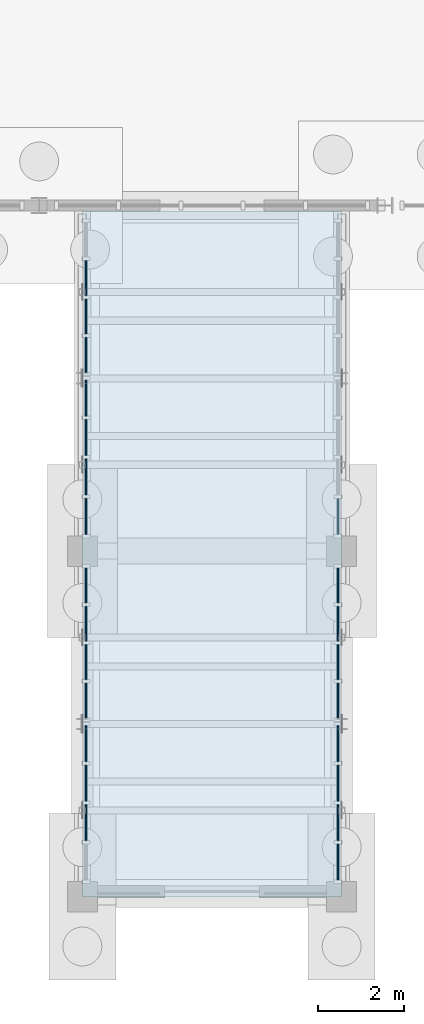
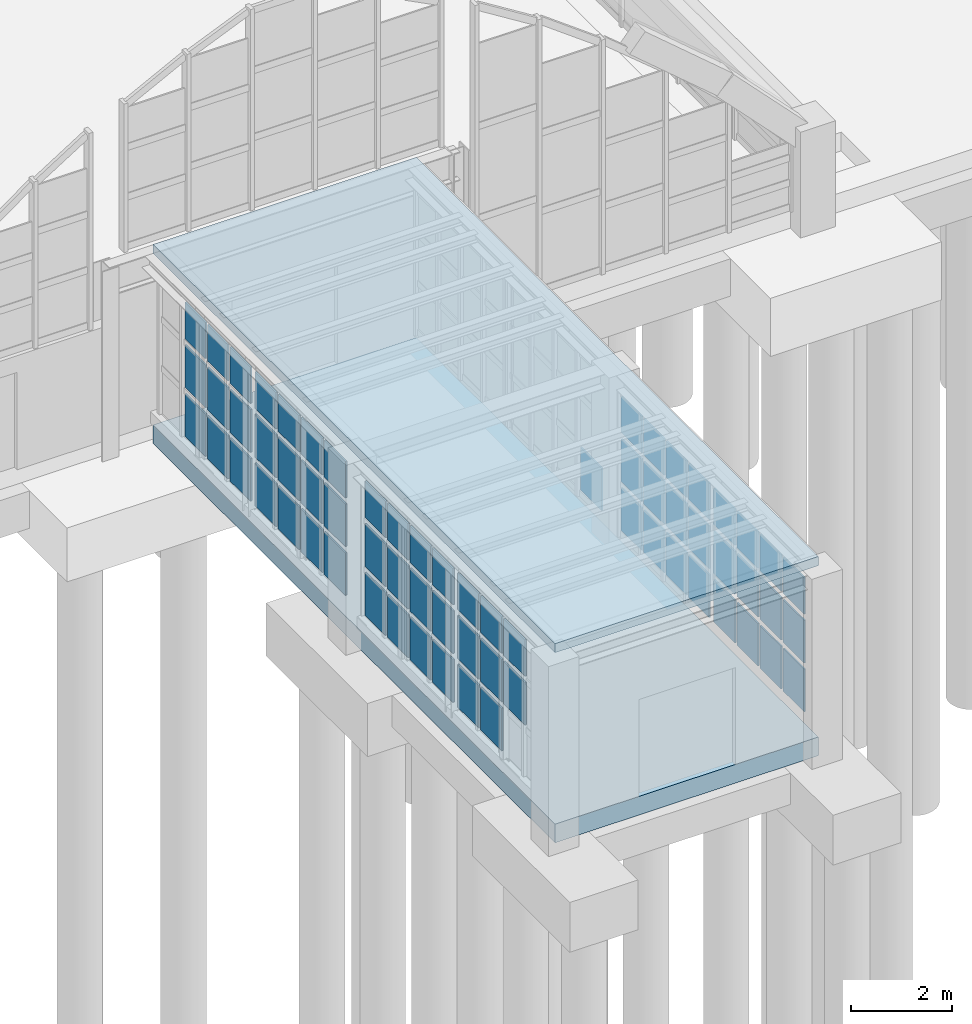
# One storey, part 77 of 129: 66 plates, 2 slabs, 7 elements without a shape of their own.
"""IFC4 building model written with IfcOpenShell, lengths in metres."""

from ifc_helpers import new_model, si_unit, direction, frame, origin, origin_2d, place, context, subcontext, project, spatial, polyline, rectangle, outline, extrude, material, layer, layer_set, type_object, element, aggregate, save


model = new_model("IFC4")

# Units and contexts
model_context = context("Model", 3, precision=1e-05, world=origin(), true_north=direction((0.0, 1.0)))
body_context = subcontext(model_context, "Body", "Model", "MODEL_VIEW")
ifc_project = project(units=[si_unit("LENGTHUNIT", "METRE"), si_unit("AREAUNIT", "SQUARE_METRE"), si_unit("VOLUMEUNIT", "CUBIC_METRE"), si_unit("PLANEANGLEUNIT", "RADIAN"), si_unit("MASSUNIT", "GRAM", prefix="KILO")], contexts=[model_context])

# Site, building, storey
site_placement = place(None, origin())
site = spatial("IfcSite", under=ifc_project, at=site_placement, CompositionType="ELEMENT")
building_placement = place(site_placement, origin())
building = spatial("IfcBuilding", under=site, at=building_placement, Name="Sitalva Quay Ferry Terminal", CompositionType="ELEMENT")
storey_placement = place(building_placement, origin())
storey = spatial("IfcBuildingStorey", under=building, at=storey_placement, Name="L01", CompositionType="ELEMENT", Elevation=0.0)

# Curtain wall, plates
ifc_material_1 = material(Name="Anodised Aluminium & Low-E Glazing", Category="aluminium")
ifc_layer_1 = layer(ifc_material_1, 0.159912109375)
ifc_layer_set_1 = layer_set([ifc_layer_1], Name="Anodised Aluminium & Low-E Glazing")
curtain_wall_type = type_object("IfcCurtainWallType", Name="CW_Bridge_Glazed", PredefinedType="USERDEFINED", material=ifc_layer_set_1)
curtain_wall_1_placement = place(storey_placement, origin())
curtain_wall_1 = element("IfcCurtainWall", 1, at=curtain_wall_1_placement, inside=storey, type_object=curtain_wall_type, Name="Boarding bridge BB1 W1 side glazing (CW-L01-033)", ObjectType="CURTAIN_WALL", PredefinedType="USERDEFINED")
ifc_material_2 = material(Name="Acoustic Laminated Marine Glazing", Category="glass")
ifc_layer_2 = layer(ifc_material_2, 0.033935546875)
ifc_layer_set_2 = layer_set([ifc_layer_2], Name="Acoustic Laminated Marine Glazing")
plate_type = type_object("IfcPlateType", Name="Panel_Marine_IGU_34", PredefinedType="CURTAIN_PANEL", material=ifc_layer_set_2)
plate_1_placement = place(storey_placement, frame((17.080078125, -8.28125, 1.57666015625), z_axis=(0.0, 0.0, 1.0), x_axis=(0.0, 1.0, 0.0)))
plate_1 = element("IfcPlate", 2, at=plate_1_placement, type_object=plate_type, Name="CW-L01-033-P1-1", PredefinedType="CURTAIN_PANEL", context=body_context, shape_type="SweptSolid", body=[
    extrude(rectangle(XDim=0.83251953125, YDim=0.033935546875, at=origin_2d()), origin(), (0.0, 0.0, 1.0), 1.026611328125),
])
plate_2_placement = place(storey_placement, frame((17.080078125, -8.28125, 2.75341796875), z_axis=(0.0, 0.0, 1.0), x_axis=(0.0, 1.0, 0.0)))
plate_2 = element("IfcPlate", 3, at=plate_2_placement, type_object=plate_type, Name="CW-L01-033-P1-2", PredefinedType="CURTAIN_PANEL", context=body_context, shape_type="SweptSolid", body=[
    extrude(rectangle(XDim=0.83251953125, YDim=0.033935546875, at=origin_2d()), origin(), (0.0, 0.0, 1.0), 0.876708984375),
])
plate_3_placement = place(storey_placement, frame((17.080078125, -7.36865234375, 0.39990234375), z_axis=(0.0, 0.0, 1.0), x_axis=(0.0, 1.0, 0.0)))
plate_3 = element("IfcPlate", 4, at=plate_3_placement, type_object=plate_type, Name="CW-L01-033-P2-0", PredefinedType="CURTAIN_PANEL", context=body_context, shape_type="SweptSolid", body=[
    extrude(rectangle(XDim=0.83251953125, YDim=0.033935546875, at=origin_2d()), origin(), (0.0, 0.0, 1.0), 1.026611328125),
])
plate_4_placement = place(storey_placement, frame((17.080078125, -7.36865234375, 1.57666015625), z_axis=(0.0, 0.0, 1.0), x_axis=(0.0, 1.0, 0.0)))
plate_4 = element("IfcPlate", 5, at=plate_4_placement, type_object=plate_type, Name="CW-L01-033-P2-1", PredefinedType="CURTAIN_PANEL", context=body_context, shape_type="SweptSolid", body=[
    extrude(rectangle(XDim=0.83251953125, YDim=0.033935546875, at=origin_2d()), origin(), (0.0, 0.0, 1.0), 1.026611328125),
])
plate_5_placement = place(storey_placement, frame((17.080078125, -7.36865234375, 2.75341796875), z_axis=(0.0, 0.0, 1.0), x_axis=(0.0, 1.0, 0.0)))
plate_5 = element("IfcPlate", 6, at=plate_5_placement, type_object=plate_type, Name="CW-L01-033-P2-2", PredefinedType="CURTAIN_PANEL", context=body_context, shape_type="SweptSolid", body=[
    extrude(rectangle(XDim=0.83251953125, YDim=0.033935546875, at=origin_2d()), origin(), (0.0, 0.0, 1.0), 0.876708984375),
])
plate_6_placement = place(storey_placement, frame((17.080078125, -6.456298828125, 0.39990234375), z_axis=(0.0, 0.0, 1.0), x_axis=(0.0, 1.0, 0.0)))
plate_6 = element("IfcPlate", 7, at=plate_6_placement, type_object=plate_type, Name="CW-L01-033-P3-0", PredefinedType="CURTAIN_PANEL", context=body_context, shape_type="SweptSolid", body=[
    extrude(rectangle(XDim=0.83251953125, YDim=0.033935546875, at=origin_2d()), origin(), (0.0, 0.0, 1.0), 1.026611328125),
])
plate_7_placement = place(storey_placement, frame((17.080078125, -6.456298828125, 1.57666015625), z_axis=(0.0, 0.0, 1.0), x_axis=(0.0, 1.0, 0.0)))
plate_7 = element("IfcPlate", 8, at=plate_7_placement, type_object=plate_type, Name="CW-L01-033-P3-1", PredefinedType="CURTAIN_PANEL", context=body_context, shape_type="SweptSolid", body=[
    extrude(rectangle(XDim=0.83251953125, YDim=0.033935546875, at=origin_2d()), origin(), (0.0, 0.0, 1.0), 1.026611328125),
])
plate_8_placement = place(storey_placement, frame((17.080078125, -6.456298828125, 2.75341796875), z_axis=(0.0, 0.0, 1.0), x_axis=(0.0, 1.0, 0.0)))
plate_8 = element("IfcPlate", 9, at=plate_8_placement, type_object=plate_type, Name="CW-L01-033-P3-2", PredefinedType="CURTAIN_PANEL", context=body_context, shape_type="SweptSolid", body=[
    extrude(rectangle(XDim=0.83251953125, YDim=0.033935546875, at=origin_2d()), origin(), (0.0, 0.0, 1.0), 0.876708984375),
])
aggregate(curtain_wall_1, [plate_1, plate_2, plate_3, plate_4, plate_5, plate_6, plate_7, plate_8])

curtain_wall_2_placement = place(storey_placement, origin())
curtain_wall_2 = element("IfcCurtainWall", 10, at=curtain_wall_2_placement, inside=storey, type_object=curtain_wall_type, Name="Boarding bridge BB1 W2 side glazing (CW-L01-034)", ObjectType="CURTAIN_WALL", PredefinedType="USERDEFINED")
plate_9_placement = place(storey_placement, frame((17.080078125, -5.456298828125, 0.39990234375), z_axis=(0.0, 0.0, 1.0), x_axis=(0.0, 1.0, 0.0)))
plate_9 = element("IfcPlate", 11, at=plate_9_placement, type_object=plate_type, Name="CW-L01-034-P0-0", PredefinedType="CURTAIN_PANEL", context=body_context, shape_type="SweptSolid", body=[
    extrude(rectangle(XDim=0.8076171875, YDim=0.033935546875, at=origin_2d()), origin(), (0.0, 0.0, 1.0), 1.026611328125),
])
plate_10_placement = place(storey_placement, frame((17.080078125, -5.456298828125, 1.57666015625), z_axis=(0.0, 0.0, 1.0), x_axis=(0.0, 1.0, 0.0)))
plate_10 = element("IfcPlate", 12, at=plate_10_placement, type_object=plate_type, Name="CW-L01-034-P0-1", PredefinedType="CURTAIN_PANEL", context=body_context, shape_type="SweptSolid", body=[
    extrude(rectangle(XDim=0.8076171875, YDim=0.033935546875, at=origin_2d()), origin(), (0.0, 0.0, 1.0), 1.026611328125),
])
plate_11_placement = place(storey_placement, frame((17.080078125, -5.456298828125, 2.75341796875), z_axis=(0.0, 0.0, 1.0), x_axis=(0.0, 1.0, 0.0)))
plate_11 = element("IfcPlate", 13, at=plate_11_placement, type_object=plate_type, Name="CW-L01-034-P0-2", PredefinedType="CURTAIN_PANEL", context=body_context, shape_type="SweptSolid", body=[
    extrude(rectangle(XDim=0.8076171875, YDim=0.033935546875, at=origin_2d()), origin(), (0.0, 0.0, 1.0), 0.876708984375),
])
plate_12_placement = place(storey_placement, frame((17.080078125, -4.56884765625, 0.39990234375), z_axis=(0.0, 0.0, 1.0), x_axis=(0.0, 1.0, 0.0)))
plate_12 = element("IfcPlate", 14, at=plate_12_placement, type_object=plate_type, Name="CW-L01-034-P1-0", PredefinedType="CURTAIN_PANEL", context=body_context, shape_type="SweptSolid", body=[
    extrude(rectangle(XDim=0.8076171875, YDim=0.033935546875, at=origin_2d()), origin(), (0.0, 0.0, 1.0), 1.026611328125),
])
plate_13_placement = place(storey_placement, frame((17.080078125, -4.56884765625, 1.57666015625), z_axis=(0.0, 0.0, 1.0), x_axis=(0.0, 1.0, 0.0)))
plate_13 = element("IfcPlate", 15, at=plate_13_placement, type_object=plate_type, Name="CW-L01-034-P1-1", PredefinedType="CURTAIN_PANEL", context=body_context, shape_type="SweptSolid", body=[
    extrude(rectangle(XDim=0.8076171875, YDim=0.033935546875, at=origin_2d()), origin(), (0.0, 0.0, 1.0), 1.026611328125),
])
plate_14_placement = place(storey_placement, frame((17.080078125, -4.56884765625, 2.75341796875), z_axis=(0.0, 0.0, 1.0), x_axis=(0.0, 1.0, 0.0)))
plate_14 = element("IfcPlate", 16, at=plate_14_placement, type_object=plate_type, Name="CW-L01-034-P1-2", PredefinedType="CURTAIN_PANEL", context=body_context, shape_type="SweptSolid", body=[
    extrude(rectangle(XDim=0.8076171875, YDim=0.033935546875, at=origin_2d()), origin(), (0.0, 0.0, 1.0), 0.876708984375),
])
plate_15_placement = place(storey_placement, frame((17.080078125, -3.68115234375, 0.39990234375), z_axis=(0.0, 0.0, 1.0), x_axis=(0.0, 1.0, 0.0)))
plate_15 = element("IfcPlate", 17, at=plate_15_placement, type_object=plate_type, Name="CW-L01-034-P2-0", PredefinedType="CURTAIN_PANEL", context=body_context, shape_type="SweptSolid", body=[
    extrude(rectangle(XDim=0.8076171875, YDim=0.033935546875, at=origin_2d()), origin(), (0.0, 0.0, 1.0), 1.026611328125),
])
plate_16_placement = place(storey_placement, frame((17.080078125, -3.68115234375, 1.57666015625), z_axis=(0.0, 0.0, 1.0), x_axis=(0.0, 1.0, 0.0)))
plate_16 = element("IfcPlate", 18, at=plate_16_placement, type_object=plate_type, Name="CW-L01-034-P2-1", PredefinedType="CURTAIN_PANEL", context=body_context, shape_type="SweptSolid", body=[
    extrude(rectangle(XDim=0.8076171875, YDim=0.033935546875, at=origin_2d()), origin(), (0.0, 0.0, 1.0), 1.026611328125),
])
plate_17_placement = place(storey_placement, frame((17.080078125, -3.68115234375, 2.75341796875), z_axis=(0.0, 0.0, 1.0), x_axis=(0.0, 1.0, 0.0)))
plate_17 = element("IfcPlate", 19, at=plate_17_placement, type_object=plate_type, Name="CW-L01-034-P2-2", PredefinedType="CURTAIN_PANEL", context=body_context, shape_type="SweptSolid", body=[
    extrude(rectangle(XDim=0.8076171875, YDim=0.033935546875, at=origin_2d()), origin(), (0.0, 0.0, 1.0), 0.876708984375),
])
plate_18_placement = place(storey_placement, frame((17.080078125, -2.793701171875, 0.39990234375), z_axis=(0.0, 0.0, 1.0), x_axis=(0.0, 1.0, 0.0)))
plate_18 = element("IfcPlate", 20, at=plate_18_placement, type_object=plate_type, Name="CW-L01-034-P3-0", PredefinedType="CURTAIN_PANEL", context=body_context, shape_type="SweptSolid", body=[
    extrude(rectangle(XDim=0.8076171875, YDim=0.033935546875, at=origin_2d()), origin(), (0.0, 0.0, 1.0), 1.026611328125),
])
plate_19_placement = place(storey_placement, frame((17.080078125, -2.793701171875, 1.57666015625), z_axis=(0.0, 0.0, 1.0), x_axis=(0.0, 1.0, 0.0)))
plate_19 = element("IfcPlate", 21, at=plate_19_placement, type_object=plate_type, Name="CW-L01-034-P3-1", PredefinedType="CURTAIN_PANEL", context=body_context, shape_type="SweptSolid", body=[
    extrude(rectangle(XDim=0.8076171875, YDim=0.033935546875, at=origin_2d()), origin(), (0.0, 0.0, 1.0), 1.026611328125),
])
plate_20_placement = place(storey_placement, frame((17.080078125, -2.793701171875, 2.75341796875), z_axis=(0.0, 0.0, 1.0), x_axis=(0.0, 1.0, 0.0)))
plate_20 = element("IfcPlate", 22, at=plate_20_placement, type_object=plate_type, Name="CW-L01-034-P3-2", PredefinedType="CURTAIN_PANEL", context=body_context, shape_type="SweptSolid", body=[
    extrude(rectangle(XDim=0.8076171875, YDim=0.033935546875, at=origin_2d()), origin(), (0.0, 0.0, 1.0), 0.876708984375),
])
aggregate(curtain_wall_2, [plate_9, plate_10, plate_11, plate_12, plate_13, plate_14, plate_15, plate_16, plate_17, plate_18, plate_19, plate_20])

curtain_wall_3_placement = place(storey_placement, origin())
curtain_wall_3 = element("IfcCurtainWall", 23, at=curtain_wall_3_placement, inside=storey, type_object=curtain_wall_type, Name="Boarding bridge BB1 W3 side glazing (CW-L01-035)", ObjectType="CURTAIN_WALL", PredefinedType="USERDEFINED")
plate_21_placement = place(storey_placement, frame((17.080078125, -1.19384765625, 0.39990234375), z_axis=(0.0, 0.0, 1.0), x_axis=(0.0, 1.0, 0.0)))
plate_21 = element("IfcPlate", 24, at=plate_21_placement, type_object=plate_type, Name="CW-L01-035-P0-0", PredefinedType="CURTAIN_PANEL", context=body_context, shape_type="SweptSolid", body=[
    extrude(rectangle(XDim=0.83251953125, YDim=0.033935546875, at=origin_2d()), origin(), (0.0, 0.0, 1.0), 1.026611328125),
])
plate_22_placement = place(storey_placement, frame((17.080078125, -1.19384765625, 1.57666015625), z_axis=(0.0, 0.0, 1.0), x_axis=(0.0, 1.0, 0.0)))
plate_22 = element("IfcPlate", 25, at=plate_22_placement, type_object=plate_type, Name="CW-L01-035-P0-1", PredefinedType="CURTAIN_PANEL", context=body_context, shape_type="SweptSolid", body=[
    extrude(rectangle(XDim=0.83251953125, YDim=0.033935546875, at=origin_2d()), origin(), (0.0, 0.0, 1.0), 1.026611328125),
])
plate_23_placement = place(storey_placement, frame((17.080078125, -1.19384765625, 2.75341796875), z_axis=(0.0, 0.0, 1.0), x_axis=(0.0, 1.0, 0.0)))
plate_23 = element("IfcPlate", 26, at=plate_23_placement, type_object=plate_type, Name="CW-L01-035-P0-2", PredefinedType="CURTAIN_PANEL", context=body_context, shape_type="SweptSolid", body=[
    extrude(rectangle(XDim=0.83251953125, YDim=0.033935546875, at=origin_2d()), origin(), (0.0, 0.0, 1.0), 0.876708984375),
])
plate_24_placement = place(storey_placement, frame((17.080078125, -0.28125, 0.39990234375), z_axis=(0.0, 0.0, 1.0), x_axis=(0.0, 1.0, 0.0)))
plate_24 = element("IfcPlate", 27, at=plate_24_placement, type_object=plate_type, Name="CW-L01-035-P1-0", PredefinedType="CURTAIN_PANEL", context=body_context, shape_type="SweptSolid", body=[
    extrude(rectangle(XDim=0.83251953125, YDim=0.033935546875, at=origin_2d()), origin(), (0.0, 0.0, 1.0), 1.026611328125),
])
plate_25_placement = place(storey_placement, frame((17.080078125, -0.28125, 1.57666015625), z_axis=(0.0, 0.0, 1.0), x_axis=(0.0, 1.0, 0.0)))
plate_25 = element("IfcPlate", 28, at=plate_25_placement, type_object=plate_type, Name="CW-L01-035-P1-1", PredefinedType="CURTAIN_PANEL", context=body_context, shape_type="SweptSolid", body=[
    extrude(rectangle(XDim=0.83251953125, YDim=0.033935546875, at=origin_2d()), origin(), (0.0, 0.0, 1.0), 1.026611328125),
])
plate_26_placement = place(storey_placement, frame((17.080078125, -0.28125, 2.75341796875), z_axis=(0.0, 0.0, 1.0), x_axis=(0.0, 1.0, 0.0)))
plate_26 = element("IfcPlate", 29, at=plate_26_placement, type_object=plate_type, Name="CW-L01-035-P1-2", PredefinedType="CURTAIN_PANEL", context=body_context, shape_type="SweptSolid", body=[
    extrude(rectangle(XDim=0.83251953125, YDim=0.033935546875, at=origin_2d()), origin(), (0.0, 0.0, 1.0), 0.876708984375),
])
plate_27_placement = place(storey_placement, frame((17.080078125, 0.63134765625, 0.39990234375), z_axis=(0.0, 0.0, 1.0), x_axis=(0.0, 1.0, 0.0)))
plate_27 = element("IfcPlate", 30, at=plate_27_placement, type_object=plate_type, Name="CW-L01-035-P2-0", PredefinedType="CURTAIN_PANEL", context=body_context, shape_type="SweptSolid", body=[
    extrude(rectangle(XDim=0.83251953125, YDim=0.033935546875, at=origin_2d()), origin(), (0.0, 0.0, 1.0), 1.026611328125),
])
plate_28_placement = place(storey_placement, frame((17.080078125, 0.63134765625, 1.57666015625), z_axis=(0.0, 0.0, 1.0), x_axis=(0.0, 1.0, 0.0)))
plate_28 = element("IfcPlate", 31, at=plate_28_placement, type_object=plate_type, Name="CW-L01-035-P2-1", PredefinedType="CURTAIN_PANEL", context=body_context, shape_type="SweptSolid", body=[
    extrude(rectangle(XDim=0.83251953125, YDim=0.033935546875, at=origin_2d()), origin(), (0.0, 0.0, 1.0), 1.026611328125),
])
plate_29_placement = place(storey_placement, frame((17.080078125, 0.63134765625, 2.75341796875), z_axis=(0.0, 0.0, 1.0), x_axis=(0.0, 1.0, 0.0)))
plate_29 = element("IfcPlate", 32, at=plate_29_placement, type_object=plate_type, Name="CW-L01-035-P2-2", PredefinedType="CURTAIN_PANEL", context=body_context, shape_type="SweptSolid", body=[
    extrude(rectangle(XDim=0.83251953125, YDim=0.033935546875, at=origin_2d()), origin(), (0.0, 0.0, 1.0), 0.876708984375),
])
plate_30_placement = place(storey_placement, frame((17.080078125, 1.543701171875, 0.39990234375), z_axis=(0.0, 0.0, 1.0), x_axis=(0.0, 1.0, 0.0)))
plate_30 = element("IfcPlate", 33, at=plate_30_placement, type_object=plate_type, Name="CW-L01-035-P3-0", PredefinedType="CURTAIN_PANEL", context=body_context, shape_type="SweptSolid", body=[
    extrude(rectangle(XDim=0.83251953125, YDim=0.033935546875, at=origin_2d()), origin(), (0.0, 0.0, 1.0), 1.026611328125),
])
plate_31_placement = place(storey_placement, frame((17.080078125, 1.543701171875, 1.57666015625), z_axis=(0.0, 0.0, 1.0), x_axis=(0.0, 1.0, 0.0)))
plate_31 = element("IfcPlate", 34, at=plate_31_placement, type_object=plate_type, Name="CW-L01-035-P3-1", PredefinedType="CURTAIN_PANEL", context=body_context, shape_type="SweptSolid", body=[
    extrude(rectangle(XDim=0.83251953125, YDim=0.033935546875, at=origin_2d()), origin(), (0.0, 0.0, 1.0), 1.026611328125),
])
plate_32_placement = place(storey_placement, frame((17.080078125, 1.543701171875, 2.75341796875), z_axis=(0.0, 0.0, 1.0), x_axis=(0.0, 1.0, 0.0)))
plate_32 = element("IfcPlate", 35, at=plate_32_placement, type_object=plate_type, Name="CW-L01-035-P3-2", PredefinedType="CURTAIN_PANEL", context=body_context, shape_type="SweptSolid", body=[
    extrude(rectangle(XDim=0.83251953125, YDim=0.033935546875, at=origin_2d()), origin(), (0.0, 0.0, 1.0), 0.876708984375),
])
aggregate(curtain_wall_3, [plate_21, plate_22, plate_23, plate_24, plate_25, plate_26, plate_27, plate_28, plate_29, plate_30, plate_31, plate_32])

curtain_wall_4_placement = place(storey_placement, origin())
curtain_wall_4 = element("IfcCurtainWall", 36, at=curtain_wall_4_placement, inside=storey, type_object=curtain_wall_type, Name="Boarding bridge BB1 W4 side glazing (CW-L01-036)", ObjectType="CURTAIN_WALL", PredefinedType="USERDEFINED")
plate_33_placement = place(storey_placement, frame((17.080078125, 2.543701171875, 0.39990234375), z_axis=(0.0, 0.0, 1.0), x_axis=(0.0, 1.0, 0.0)))
plate_33 = element("IfcPlate", 37, at=plate_33_placement, type_object=plate_type, Name="CW-L01-036-P0-0", PredefinedType="CURTAIN_PANEL", context=body_context, shape_type="SweptSolid", body=[
    extrude(rectangle(XDim=0.8076171875, YDim=0.033935546875, at=origin_2d()), origin(), (0.0, 0.0, 1.0), 1.026611328125),
])
plate_34_placement = place(storey_placement, frame((17.080078125, 2.543701171875, 1.57666015625), z_axis=(0.0, 0.0, 1.0), x_axis=(0.0, 1.0, 0.0)))
plate_34 = element("IfcPlate", 38, at=plate_34_placement, type_object=plate_type, Name="CW-L01-036-P0-1", PredefinedType="CURTAIN_PANEL", context=body_context, shape_type="SweptSolid", body=[
    extrude(rectangle(XDim=0.8076171875, YDim=0.033935546875, at=origin_2d()), origin(), (0.0, 0.0, 1.0), 1.026611328125),
])
plate_35_placement = place(storey_placement, frame((17.080078125, 2.543701171875, 2.75341796875), z_axis=(0.0, 0.0, 1.0), x_axis=(0.0, 1.0, 0.0)))
plate_35 = element("IfcPlate", 39, at=plate_35_placement, type_object=plate_type, Name="CW-L01-036-P0-2", PredefinedType="CURTAIN_PANEL", context=body_context, shape_type="SweptSolid", body=[
    extrude(rectangle(XDim=0.8076171875, YDim=0.033935546875, at=origin_2d()), origin(), (0.0, 0.0, 1.0), 0.876708984375),
])
plate_36_placement = place(storey_placement, frame((17.080078125, 3.43115234375, 0.39990234375), z_axis=(0.0, 0.0, 1.0), x_axis=(0.0, 1.0, 0.0)))
plate_36 = element("IfcPlate", 40, at=plate_36_placement, type_object=plate_type, Name="CW-L01-036-P1-0", PredefinedType="CURTAIN_PANEL", context=body_context, shape_type="SweptSolid", body=[
    extrude(rectangle(XDim=0.8076171875, YDim=0.033935546875, at=origin_2d()), origin(), (0.0, 0.0, 1.0), 1.026611328125),
])
plate_37_placement = place(storey_placement, frame((17.080078125, 3.43115234375, 1.57666015625), z_axis=(0.0, 0.0, 1.0), x_axis=(0.0, 1.0, 0.0)))
plate_37 = element("IfcPlate", 41, at=plate_37_placement, type_object=plate_type, Name="CW-L01-036-P1-1", PredefinedType="CURTAIN_PANEL", context=body_context, shape_type="SweptSolid", body=[
    extrude(rectangle(XDim=0.8076171875, YDim=0.033935546875, at=origin_2d()), origin(), (0.0, 0.0, 1.0), 1.026611328125),
])
plate_38_placement = place(storey_placement, frame((17.080078125, 3.43115234375, 2.75341796875), z_axis=(0.0, 0.0, 1.0), x_axis=(0.0, 1.0, 0.0)))
plate_38 = element("IfcPlate", 42, at=plate_38_placement, type_object=plate_type, Name="CW-L01-036-P1-2", PredefinedType="CURTAIN_PANEL", context=body_context, shape_type="SweptSolid", body=[
    extrude(rectangle(XDim=0.8076171875, YDim=0.033935546875, at=origin_2d()), origin(), (0.0, 0.0, 1.0), 0.876708984375),
])
plate_39_placement = place(storey_placement, frame((17.080078125, 4.31884765625, 0.39990234375), z_axis=(0.0, 0.0, 1.0), x_axis=(0.0, 1.0, 0.0)))
plate_39 = element("IfcPlate", 43, at=plate_39_placement, type_object=plate_type, Name="CW-L01-036-P2-0", PredefinedType="CURTAIN_PANEL", context=body_context, shape_type="SweptSolid", body=[
    extrude(rectangle(XDim=0.8076171875, YDim=0.033935546875, at=origin_2d()), origin(), (0.0, 0.0, 1.0), 1.026611328125),
])
plate_40_placement = place(storey_placement, frame((17.080078125, 4.31884765625, 1.57666015625), z_axis=(0.0, 0.0, 1.0), x_axis=(0.0, 1.0, 0.0)))
plate_40 = element("IfcPlate", 44, at=plate_40_placement, type_object=plate_type, Name="CW-L01-036-P2-1", PredefinedType="CURTAIN_PANEL", context=body_context, shape_type="SweptSolid", body=[
    extrude(rectangle(XDim=0.8076171875, YDim=0.033935546875, at=origin_2d()), origin(), (0.0, 0.0, 1.0), 1.026611328125),
])
plate_41_placement = place(storey_placement, frame((17.080078125, 4.31884765625, 2.75341796875), z_axis=(0.0, 0.0, 1.0), x_axis=(0.0, 1.0, 0.0)))
plate_41 = element("IfcPlate", 45, at=plate_41_placement, type_object=plate_type, Name="CW-L01-036-P2-2", PredefinedType="CURTAIN_PANEL", context=body_context, shape_type="SweptSolid", body=[
    extrude(rectangle(XDim=0.8076171875, YDim=0.033935546875, at=origin_2d()), origin(), (0.0, 0.0, 1.0), 0.876708984375),
])
aggregate(curtain_wall_4, [plate_33, plate_34, plate_35, plate_36, plate_37, plate_38, plate_39, plate_40, plate_41])

curtain_wall_5_placement = place(storey_placement, origin())
curtain_wall_5 = element("IfcCurtainWall", 46, at=curtain_wall_5_placement, inside=storey, type_object=curtain_wall_type, Name="Boarding bridge BB1 E1 side glazing (CW-L01-037)", ObjectType="CURTAIN_WALL", PredefinedType="USERDEFINED")
plate_42_placement = place(storey_placement, frame((22.919921875, -9.19384765625, 0.39990234375), z_axis=(0.0, 0.0, 1.0), x_axis=(0.0, 1.0, 0.0)))
plate_42 = element("IfcPlate", 47, at=plate_42_placement, type_object=plate_type, Name="CW-L01-037-P0-0", PredefinedType="CURTAIN_PANEL", context=body_context, shape_type="SweptSolid", body=[
    extrude(rectangle(XDim=0.83251953125, YDim=0.033935546875, at=origin_2d()), origin(), (0.0, 0.0, 1.0), 1.026611328125),
])
plate_43_placement = place(storey_placement, frame((22.919921875, -9.19384765625, 1.57666015625), z_axis=(0.0, 0.0, 1.0), x_axis=(0.0, 1.0, 0.0)))
plate_43 = element("IfcPlate", 48, at=plate_43_placement, type_object=plate_type, Name="CW-L01-037-P0-1", PredefinedType="CURTAIN_PANEL", context=body_context, shape_type="SweptSolid", body=[
    extrude(rectangle(XDim=0.83251953125, YDim=0.033935546875, at=origin_2d()), origin(), (0.0, 0.0, 1.0), 1.026611328125),
])
plate_44_placement = place(storey_placement, frame((22.919921875, -9.19384765625, 2.75341796875), z_axis=(0.0, 0.0, 1.0), x_axis=(0.0, 1.0, 0.0)))
plate_44 = element("IfcPlate", 49, at=plate_44_placement, type_object=plate_type, Name="CW-L01-037-P0-2", PredefinedType="CURTAIN_PANEL", context=body_context, shape_type="SweptSolid", body=[
    extrude(rectangle(XDim=0.83251953125, YDim=0.033935546875, at=origin_2d()), origin(), (0.0, 0.0, 1.0), 0.876708984375),
])
plate_45_placement = place(storey_placement, frame((22.919921875, -8.28125, 0.39990234375), z_axis=(0.0, 0.0, 1.0), x_axis=(0.0, 1.0, 0.0)))
plate_45 = element("IfcPlate", 50, at=plate_45_placement, type_object=plate_type, Name="CW-L01-037-P1-0", PredefinedType="CURTAIN_PANEL", context=body_context, shape_type="SweptSolid", body=[
    extrude(rectangle(XDim=0.83251953125, YDim=0.033935546875, at=origin_2d()), origin(), (0.0, 0.0, 1.0), 1.026611328125),
])
plate_46_placement = place(storey_placement, frame((22.919921875, -8.28125, 1.57666015625), z_axis=(0.0, 0.0, 1.0), x_axis=(0.0, 1.0, 0.0)))
plate_46 = element("IfcPlate", 51, at=plate_46_placement, type_object=plate_type, Name="CW-L01-037-P1-1", PredefinedType="CURTAIN_PANEL", context=body_context, shape_type="SweptSolid", body=[
    extrude(rectangle(XDim=0.83251953125, YDim=0.033935546875, at=origin_2d()), origin(), (0.0, 0.0, 1.0), 1.026611328125),
])
plate_47_placement = place(storey_placement, frame((22.919921875, -8.28125, 2.75341796875), z_axis=(0.0, 0.0, 1.0), x_axis=(0.0, 1.0, 0.0)))
plate_47 = element("IfcPlate", 52, at=plate_47_placement, type_object=plate_type, Name="CW-L01-037-P1-2", PredefinedType="CURTAIN_PANEL", context=body_context, shape_type="SweptSolid", body=[
    extrude(rectangle(XDim=0.83251953125, YDim=0.033935546875, at=origin_2d()), origin(), (0.0, 0.0, 1.0), 0.876708984375),
])
plate_48_placement = place(storey_placement, frame((22.919921875, -7.36865234375, 0.39990234375), z_axis=(0.0, 0.0, 1.0), x_axis=(0.0, 1.0, 0.0)))
plate_48 = element("IfcPlate", 53, at=plate_48_placement, type_object=plate_type, Name="CW-L01-037-P2-0", PredefinedType="CURTAIN_PANEL", context=body_context, shape_type="SweptSolid", body=[
    extrude(rectangle(XDim=0.83251953125, YDim=0.033935546875, at=origin_2d()), origin(), (0.0, 0.0, 1.0), 1.026611328125),
])
plate_49_placement = place(storey_placement, frame((22.919921875, -7.36865234375, 1.57666015625), z_axis=(0.0, 0.0, 1.0), x_axis=(0.0, 1.0, 0.0)))
plate_49 = element("IfcPlate", 54, at=plate_49_placement, type_object=plate_type, Name="CW-L01-037-P2-1", PredefinedType="CURTAIN_PANEL", context=body_context, shape_type="SweptSolid", body=[
    extrude(rectangle(XDim=0.83251953125, YDim=0.033935546875, at=origin_2d()), origin(), (0.0, 0.0, 1.0), 1.026611328125),
])
plate_50_placement = place(storey_placement, frame((22.919921875, -7.36865234375, 2.75341796875), z_axis=(0.0, 0.0, 1.0), x_axis=(0.0, 1.0, 0.0)))
plate_50 = element("IfcPlate", 55, at=plate_50_placement, type_object=plate_type, Name="CW-L01-037-P2-2", PredefinedType="CURTAIN_PANEL", context=body_context, shape_type="SweptSolid", body=[
    extrude(rectangle(XDim=0.83251953125, YDim=0.033935546875, at=origin_2d()), origin(), (0.0, 0.0, 1.0), 0.876708984375),
])
plate_51_placement = place(storey_placement, frame((22.919921875, -6.456298828125, 0.39990234375), z_axis=(0.0, 0.0, 1.0), x_axis=(0.0, 1.0, 0.0)))
plate_51 = element("IfcPlate", 56, at=plate_51_placement, type_object=plate_type, Name="CW-L01-037-P3-0", PredefinedType="CURTAIN_PANEL", context=body_context, shape_type="SweptSolid", body=[
    extrude(rectangle(XDim=0.83251953125, YDim=0.033935546875, at=origin_2d()), origin(), (0.0, 0.0, 1.0), 1.026611328125),
])
plate_52_placement = place(storey_placement, frame((22.919921875, -6.456298828125, 1.57666015625), z_axis=(0.0, 0.0, 1.0), x_axis=(0.0, 1.0, 0.0)))
plate_52 = element("IfcPlate", 57, at=plate_52_placement, type_object=plate_type, Name="CW-L01-037-P3-1", PredefinedType="CURTAIN_PANEL", context=body_context, shape_type="SweptSolid", body=[
    extrude(rectangle(XDim=0.83251953125, YDim=0.033935546875, at=origin_2d()), origin(), (0.0, 0.0, 1.0), 1.026611328125),
])
plate_53_placement = place(storey_placement, frame((22.919921875, -6.456298828125, 2.75341796875), z_axis=(0.0, 0.0, 1.0), x_axis=(0.0, 1.0, 0.0)))
plate_53 = element("IfcPlate", 58, at=plate_53_placement, type_object=plate_type, Name="CW-L01-037-P3-2", PredefinedType="CURTAIN_PANEL", context=body_context, shape_type="SweptSolid", body=[
    extrude(rectangle(XDim=0.83251953125, YDim=0.033935546875, at=origin_2d()), origin(), (0.0, 0.0, 1.0), 0.876708984375),
])
aggregate(curtain_wall_5, [plate_42, plate_43, plate_44, plate_45, plate_46, plate_47, plate_48, plate_49, plate_50, plate_51, plate_52, plate_53])

curtain_wall_6_placement = place(storey_placement, origin())
curtain_wall_6 = element("IfcCurtainWall", 59, at=curtain_wall_6_placement, inside=storey, type_object=curtain_wall_type, Name="Boarding bridge BB1 E2 side glazing (CW-L01-038)", ObjectType="CURTAIN_WALL", PredefinedType="USERDEFINED")
plate_54_placement = place(storey_placement, frame((22.919921875, -5.456298828125, 0.39990234375), z_axis=(0.0, 0.0, 1.0), x_axis=(0.0, 1.0, 0.0)))
plate_54 = element("IfcPlate", 60, at=plate_54_placement, type_object=plate_type, Name="CW-L01-038-P0-0", PredefinedType="CURTAIN_PANEL", context=body_context, shape_type="SweptSolid", body=[
    extrude(rectangle(XDim=0.8076171875, YDim=0.033935546875, at=origin_2d()), origin(), (0.0, 0.0, 1.0), 1.026611328125),
])
plate_55_placement = place(storey_placement, frame((22.919921875, -5.456298828125, 1.57666015625), z_axis=(0.0, 0.0, 1.0), x_axis=(0.0, 1.0, 0.0)))
plate_55 = element("IfcPlate", 61, at=plate_55_placement, type_object=plate_type, Name="CW-L01-038-P0-1", PredefinedType="CURTAIN_PANEL", context=body_context, shape_type="SweptSolid", body=[
    extrude(rectangle(XDim=0.8076171875, YDim=0.033935546875, at=origin_2d()), origin(), (0.0, 0.0, 1.0), 1.026611328125),
])
plate_56_placement = place(storey_placement, frame((22.919921875, -5.456298828125, 2.75341796875), z_axis=(0.0, 0.0, 1.0), x_axis=(0.0, 1.0, 0.0)))
plate_56 = element("IfcPlate", 62, at=plate_56_placement, type_object=plate_type, Name="CW-L01-038-P0-2", PredefinedType="CURTAIN_PANEL", context=body_context, shape_type="SweptSolid", body=[
    extrude(rectangle(XDim=0.8076171875, YDim=0.033935546875, at=origin_2d()), origin(), (0.0, 0.0, 1.0), 0.876708984375),
])
plate_57_placement = place(storey_placement, frame((22.919921875, -4.56884765625, 0.39990234375), z_axis=(0.0, 0.0, 1.0), x_axis=(0.0, 1.0, 0.0)))
plate_57 = element("IfcPlate", 63, at=plate_57_placement, type_object=plate_type, Name="CW-L01-038-P1-0", PredefinedType="CURTAIN_PANEL", context=body_context, shape_type="SweptSolid", body=[
    extrude(rectangle(XDim=0.8076171875, YDim=0.033935546875, at=origin_2d()), origin(), (0.0, 0.0, 1.0), 1.026611328125),
])
plate_58_placement = place(storey_placement, frame((22.919921875, -4.56884765625, 1.57666015625), z_axis=(0.0, 0.0, 1.0), x_axis=(0.0, 1.0, 0.0)))
plate_58 = element("IfcPlate", 64, at=plate_58_placement, type_object=plate_type, Name="CW-L01-038-P1-1", PredefinedType="CURTAIN_PANEL", context=body_context, shape_type="SweptSolid", body=[
    extrude(rectangle(XDim=0.8076171875, YDim=0.033935546875, at=origin_2d()), origin(), (0.0, 0.0, 1.0), 1.026611328125),
])
plate_59_placement = place(storey_placement, frame((22.919921875, -4.56884765625, 2.75341796875), z_axis=(0.0, 0.0, 1.0), x_axis=(0.0, 1.0, 0.0)))
plate_59 = element("IfcPlate", 65, at=plate_59_placement, type_object=plate_type, Name="CW-L01-038-P1-2", PredefinedType="CURTAIN_PANEL", context=body_context, shape_type="SweptSolid", body=[
    extrude(rectangle(XDim=0.8076171875, YDim=0.033935546875, at=origin_2d()), origin(), (0.0, 0.0, 1.0), 0.876708984375),
])
plate_60_placement = place(storey_placement, frame((22.919921875, -3.68115234375, 0.39990234375), z_axis=(0.0, 0.0, 1.0), x_axis=(0.0, 1.0, 0.0)))
plate_60 = element("IfcPlate", 66, at=plate_60_placement, type_object=plate_type, Name="CW-L01-038-P2-0", PredefinedType="CURTAIN_PANEL", context=body_context, shape_type="SweptSolid", body=[
    extrude(rectangle(XDim=0.8076171875, YDim=0.033935546875, at=origin_2d()), origin(), (0.0, 0.0, 1.0), 1.026611328125),
])
plate_61_placement = place(storey_placement, frame((22.919921875, -3.68115234375, 1.57666015625), z_axis=(0.0, 0.0, 1.0), x_axis=(0.0, 1.0, 0.0)))
plate_61 = element("IfcPlate", 67, at=plate_61_placement, type_object=plate_type, Name="CW-L01-038-P2-1", PredefinedType="CURTAIN_PANEL", context=body_context, shape_type="SweptSolid", body=[
    extrude(rectangle(XDim=0.8076171875, YDim=0.033935546875, at=origin_2d()), origin(), (0.0, 0.0, 1.0), 1.026611328125),
])
plate_62_placement = place(storey_placement, frame((22.919921875, -3.68115234375, 2.75341796875), z_axis=(0.0, 0.0, 1.0), x_axis=(0.0, 1.0, 0.0)))
plate_62 = element("IfcPlate", 68, at=plate_62_placement, type_object=plate_type, Name="CW-L01-038-P2-2", PredefinedType="CURTAIN_PANEL", context=body_context, shape_type="SweptSolid", body=[
    extrude(rectangle(XDim=0.8076171875, YDim=0.033935546875, at=origin_2d()), origin(), (0.0, 0.0, 1.0), 0.876708984375),
])
plate_63_placement = place(storey_placement, frame((22.919921875, -2.793701171875, 0.39990234375), z_axis=(0.0, 0.0, 1.0), x_axis=(0.0, 1.0, 0.0)))
plate_63 = element("IfcPlate", 69, at=plate_63_placement, type_object=plate_type, Name="CW-L01-038-P3-0", PredefinedType="CURTAIN_PANEL", context=body_context, shape_type="SweptSolid", body=[
    extrude(rectangle(XDim=0.8076171875, YDim=0.033935546875, at=origin_2d()), origin(), (0.0, 0.0, 1.0), 1.026611328125),
])
plate_64_placement = place(storey_placement, frame((22.919921875, -2.793701171875, 1.57666015625), z_axis=(0.0, 0.0, 1.0), x_axis=(0.0, 1.0, 0.0)))
plate_64 = element("IfcPlate", 70, at=plate_64_placement, type_object=plate_type, Name="CW-L01-038-P3-1", PredefinedType="CURTAIN_PANEL", context=body_context, shape_type="SweptSolid", body=[
    extrude(rectangle(XDim=0.8076171875, YDim=0.033935546875, at=origin_2d()), origin(), (0.0, 0.0, 1.0), 1.026611328125),
])
plate_65_placement = place(storey_placement, frame((22.919921875, -2.793701171875, 2.75341796875), z_axis=(0.0, 0.0, 1.0), x_axis=(0.0, 1.0, 0.0)))
plate_65 = element("IfcPlate", 71, at=plate_65_placement, type_object=plate_type, Name="CW-L01-038-P3-2", PredefinedType="CURTAIN_PANEL", context=body_context, shape_type="SweptSolid", body=[
    extrude(rectangle(XDim=0.8076171875, YDim=0.033935546875, at=origin_2d()), origin(), (0.0, 0.0, 1.0), 0.876708984375),
])
aggregate(curtain_wall_6, [plate_54, plate_55, plate_56, plate_57, plate_58, plate_59, plate_60, plate_61, plate_62, plate_63, plate_64, plate_65])

# Curtain wall, plate
curtain_wall_7_placement = place(storey_placement, origin())
curtain_wall_7 = element("IfcCurtainWall", 72, at=curtain_wall_7_placement, inside=storey, type_object=curtain_wall_type, Name="Boarding bridge BB1 E3 side glazing (CW-L01-039)", ObjectType="CURTAIN_WALL", PredefinedType="USERDEFINED")
plate_66_placement = place(storey_placement, frame((22.919921875, -1.19384765625, 0.39990234375), z_axis=(0.0, 0.0, 1.0), x_axis=(0.0, 1.0, 0.0)))
plate_66 = element("IfcPlate", 73, at=plate_66_placement, type_object=plate_type, Name="CW-L01-039-P0-0", PredefinedType="CURTAIN_PANEL", context=body_context, shape_type="SweptSolid", body=[
    extrude(rectangle(XDim=0.83251953125, YDim=0.033935546875, at=origin_2d()), origin(), (0.0, 0.0, 1.0), 1.026611328125),
])
aggregate(curtain_wall_7, [plate_66])

# Slabs
ifc_material_3 = material(Name="Concrete C35/45", Category="concrete")
ifc_layer_3 = layer(ifc_material_3, 0.219970703125)
ifc_layer_set_3 = layer_set([ifc_layer_3], Name="Concrete C35/45")
slab_type_1 = type_object("IfcSlabType", Name="Slab_ParasolRoof_220", PredefinedType="ROOF", material=ifc_layer_set_3)
slab_1_placement = place(storey_placement, frame((0.0, 0.0, 4.1298828125)))
element("IfcSlab", 74, at=slab_1_placement, inside=storey, type_object=slab_type_1, Name="L01 Boarding bridge BB1 parasol roof 002", PredefinedType="ROOF", context=body_context, shape_type="SweptSolid", body=[
    extrude(outline(polyline([(17.0, -10.0), (23.0, -10.0), (23.0, 5.8701171875), (17.0, 5.8701171875), (17.0, -10.0)])), origin(), (0.0, 0.0, 1.0), 0.22021484375),
])
ifc_material_4 = material(Name="Concrete C35/45", Category="concrete")
ifc_layer_4 = layer(ifc_material_4, 0.449951171875)
ifc_layer_set_4 = layer_set([ifc_layer_4], Name="Concrete C35/45")
slab_type_2 = type_object("IfcSlabType", Name="Slab_QuayBase_450", PredefinedType="BASESLAB", material=ifc_layer_set_4)
slab_2_placement = place(storey_placement, frame((0.0, 0.0, -0.449951171875)))
element("IfcSlab", 75, at=slab_2_placement, inside=storey, type_object=slab_type_2, Name="L01 Boarding bridge BB1 gangway deck 001", PredefinedType="BASESLAB", context=body_context, shape_type="SweptSolid", body=[
    extrude(outline(polyline([(17.0, -10.0), (23.0, -10.0), (23.0, 5.8701171875), (17.0, 5.8701171875), (17.0, -10.0)])), origin(), (0.0, 0.0, 1.0), 0.449951171875),
])

save(model, "model.ifc")
